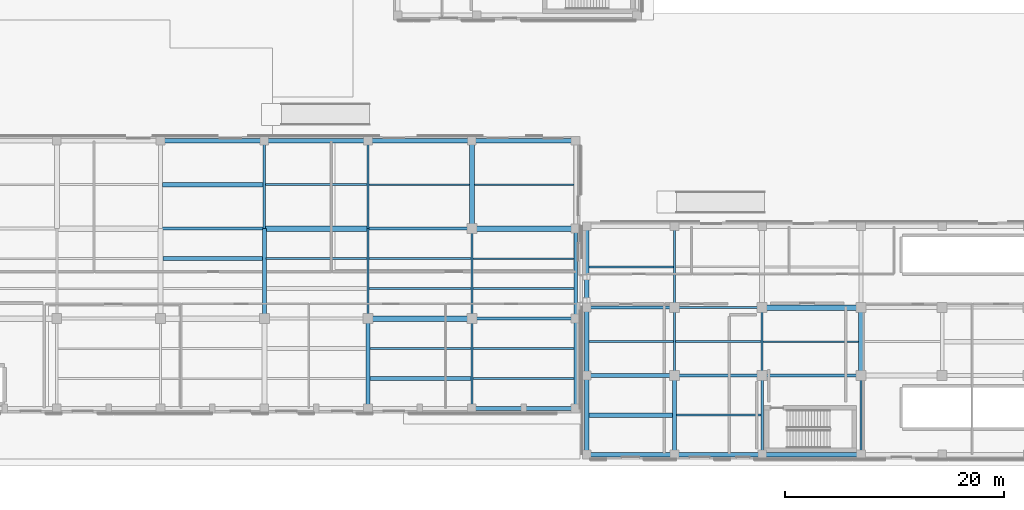
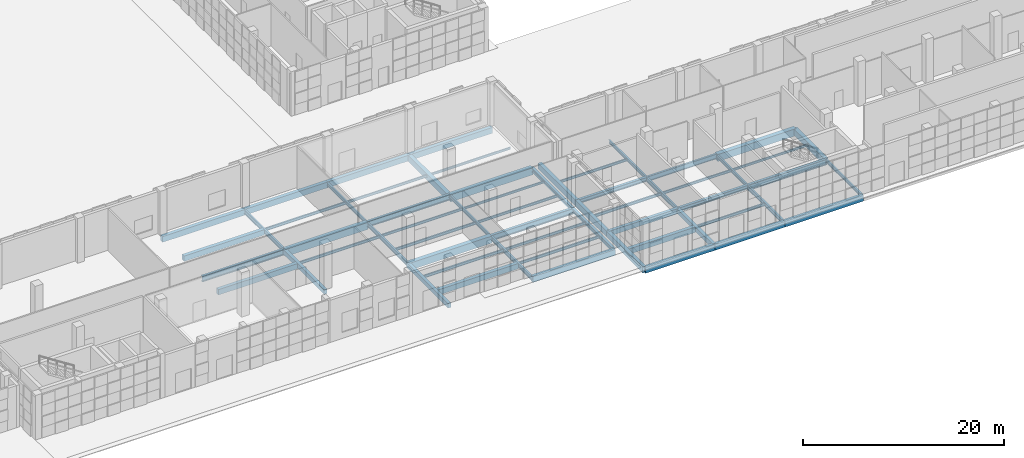
# One storey, part 3 of 40: 60 beams.
"""IFC4 building model written with IfcOpenShell, lengths in metres."""

from ifc_helpers import new_model, si_unit, direction, frame, origin, origin_2d, place, context, subcontext, project, spatial, rectangle, i_section, extrude, material, material_profile, profile_set, type_object, element, save


model = new_model("IFC4")

# Units and contexts
model_context = context("Model", 3, precision=1e-05, world=origin(), true_north=direction((0.0, 1.0)))
body_context = subcontext(model_context, "Body", "Model", "MODEL_VIEW")
ifc_project = project(units=[si_unit("LENGTHUNIT", "METRE"), si_unit("AREAUNIT", "SQUARE_METRE"), si_unit("VOLUMEUNIT", "CUBIC_METRE"), si_unit("PLANEANGLEUNIT", "RADIAN"), si_unit("MASSUNIT", "GRAM", prefix="KILO")], contexts=[model_context])

# Site, building, storey
site_placement = place(None, origin())
site = spatial("IfcSite", under=ifc_project, at=site_placement, CompositionType="ELEMENT")
building_placement = place(site_placement, origin())
building = spatial("IfcBuilding", under=site, at=building_placement, Name="Qalavern Law Courts", CompositionType="ELEMENT")
storey_placement = place(building_placement, origin())
storey = spatial("IfcBuildingStorey", under=building, at=storey_placement, Name="L00", CompositionType="ELEMENT", Elevation=0.0)

# Beams
ifc_material_1 = material(Name="Steel S355", Category="steel")
ifc_material_profile_1 = material_profile(ifc_material_1, i_section(OverallWidth=0.300048828125, OverallDepth=0.489990234375, WebThickness=0.011962890625, FlangeThickness=0.02294921875, FilletRadius=0.027099609375, at=origin_2d()), Name="HEA 500")
ifc_profile_set_1 = profile_set([ifc_material_profile_1], Name="Steel S355")
beam_type_1 = type_object("IfcBeamType", Name="STR-BM-HEA500", PredefinedType="BEAM", material=ifc_profile_set_1)
beam_1_placement = place(storey_placement, frame((109.800048828125, 8.60009765625, -0.5849609375), z_axis=(1.0, 0.0, 0.0), x_axis=(0.0, 1.0, 0.0)))
element("IfcBeam", 1, at=beam_1_placement, inside=storey, type_object=beam_type_1, Name="V6 X-beam 2-2 L00", PredefinedType="BEAM", context=body_context, shape_type="SweptSolid", body=[
    extrude(i_section(OverallWidth=0.300048828125, OverallDepth=0.489990234375, WebThickness=0.011962890625, FlangeThickness=0.02294921875, FilletRadius=0.027099609375, at=origin_2d()), origin(), (0.0, 0.0, 1.0), 8.0),
])
beam_2_placement = place(storey_placement, frame((101.820068359375, 14.800048828125, -0.5849609375), z_axis=(1.0, 0.0, 0.0), x_axis=(0.0, 1.0, 0.0)))
element("IfcBeam", 2, at=beam_2_placement, inside=storey, type_object=beam_type_1, Name="V6 X-beam 3-1 L00", PredefinedType="BEAM", context=body_context, shape_type="SweptSolid", body=[
    extrude(i_section(OverallWidth=0.300048828125, OverallDepth=0.489990234375, WebThickness=0.011962890625, FlangeThickness=0.02294921875, FilletRadius=0.027099609375, at=origin_2d()), origin(), (0.0, 0.0, 1.0), 7.97998046875),
])
ifc_material_profile_2 = material_profile(ifc_material_1, i_section(OverallWidth=0.300048828125, OverallDepth=0.699951171875, WebThickness=0.01708984375, FlangeThickness=0.031982421875, FilletRadius=0.027099609375, at=origin_2d()), Name="HEB 700")
ifc_profile_set_2 = profile_set([ifc_material_profile_2], Name="Steel S355")
beam_type_2 = type_object("IfcBeamType", Name="STR-BM-HEB700", PredefinedType="BEAM", material=ifc_profile_set_2)
beam_3_placement = place(storey_placement, frame((91.345703125, 13.800048828125, -0.68994140625), z_axis=(1.0, 0.0, 0.0), x_axis=(0.0, 1.0, 0.0)))
element("IfcBeam", 3, at=beam_3_placement, inside=storey, type_object=beam_type_2, Name="V2 X-beam 2-7 L00", PredefinedType="BEAM", context=body_context, shape_type="SweptSolid", body=[
    extrude(i_section(OverallWidth=0.300048828125, OverallDepth=0.699951171875, WebThickness=0.01708984375, FlangeThickness=0.031982421875, FilletRadius=0.027099609375, at=origin_2d()), origin(), (0.0, 0.0, 1.0), 9.454345703125),
])
beam_4_placement = place(storey_placement, frame((62.98291015625, 22.0, -0.68994140625), z_axis=(1.0, 0.0, 0.0), x_axis=(0.0, 1.0, 0.0)))
element("IfcBeam", 4, at=beam_4_placement, inside=storey, type_object=beam_type_2, Name="V2 X-beam 3-4 L00", PredefinedType="BEAM", context=body_context, shape_type="SweptSolid", body=[
    extrude(i_section(OverallWidth=0.300048828125, OverallDepth=0.699951171875, WebThickness=0.01708984375, FlangeThickness=0.031982421875, FilletRadius=0.027099609375, at=origin_2d()), origin(), (0.0, 0.0, 1.0), 9.4541015625),
])
beam_5_placement = place(storey_placement, frame((81.891357421875, 22.0, -0.68994140625), z_axis=(1.0, 0.0, 0.0), x_axis=(0.0, 1.0, 0.0)))
element("IfcBeam", 5, at=beam_5_placement, inside=storey, type_object=beam_type_2, Name="V2 X-beam 3-6 L00", PredefinedType="BEAM", context=body_context, shape_type="SweptSolid", body=[
    extrude(i_section(OverallWidth=0.300048828125, OverallDepth=0.699951171875, WebThickness=0.01708984375, FlangeThickness=0.031982421875, FilletRadius=0.027099609375, at=origin_2d()), origin(), (0.0, 0.0, 1.0), 9.454345703125),
])
beam_6_placement = place(storey_placement, frame((117.800048828125, 8.60009765625, -0.68994140625), z_axis=(1.0, 0.0, 0.0), x_axis=(0.0, 1.0, 0.0)))
element("IfcBeam", 6, at=beam_6_placement, inside=storey, type_object=beam_type_2, Name="V6 X-beam 2-3 L00", PredefinedType="BEAM", context=body_context, shape_type="SweptSolid", body=[
    extrude(i_section(OverallWidth=0.300048828125, OverallDepth=0.699951171875, WebThickness=0.01708984375, FlangeThickness=0.031982421875, FilletRadius=0.027099609375, at=origin_2d()), origin(), (0.0, 0.0, 1.0), 9.0),
])
ifc_material_profile_3 = material_profile(ifc_material_1, i_section(OverallWidth=0.179931640625, OverallDepth=0.39990234375, WebThickness=0.008544921875, FlangeThickness=0.013427734375, FilletRadius=0.02099609375, at=origin_2d()), Name="IPE 400")
ifc_profile_set_3 = profile_set([ifc_material_profile_3], Name="Steel S355")
beam_type_3 = type_object("IfcBeamType", Name="STR-BM-IPE400", PredefinedType="BEAM", material=ifc_profile_set_3)
beam_7_placement = place(storey_placement, frame((81.891357421875, 22.0, -0.5400390625), z_axis=(0.0, 1.0, 0.0), x_axis=(-1.0, 0.0, 0.0)))
element("IfcBeam", 7, at=beam_7_placement, inside=storey, type_object=beam_type_3, Name="V2 Y-beam 6-3 L00", PredefinedType="BEAM", context=body_context, shape_type="SweptSolid", body=[
    extrude(i_section(OverallWidth=0.179931640625, OverallDepth=0.39990234375, WebThickness=0.008544921875, FlangeThickness=0.013427734375, FilletRadius=0.02099609375, at=origin_2d()), origin(), (0.0, 0.0, 1.0), 8.0),
])
beam_8_placement = place(storey_placement, frame((91.345703125, 13.800048828125, -0.5400390625), z_axis=(0.0, 1.0, 0.0), x_axis=(-1.0, 0.0, 0.0)))
element("IfcBeam", 8, at=beam_8_placement, inside=storey, type_object=beam_type_3, Name="V2 Y-beam 7-2 L00", PredefinedType="BEAM", context=body_context, shape_type="SweptSolid", body=[
    extrude(i_section(OverallWidth=0.179931640625, OverallDepth=0.39990234375, WebThickness=0.008544921875, FlangeThickness=0.013427734375, FilletRadius=0.02099609375, at=origin_2d()), origin(), (0.0, 0.0, 1.0), 8.199951171875),
])
beam_9_placement = place(storey_placement, frame((109.800048828125, 14.800048828125, -0.5400390625), z_axis=(0.0, 1.0, 0.0), x_axis=(-1.0, 0.0, 0.0)))
element("IfcBeam", 9, at=beam_9_placement, inside=storey, type_object=beam_type_3, Name="V6 Y-beam 2-3 L00", PredefinedType="BEAM", context=body_context, shape_type="SweptSolid", body=[
    extrude(i_section(OverallWidth=0.179931640625, OverallDepth=0.39990234375, WebThickness=0.008544921875, FlangeThickness=0.013427734375, FilletRadius=0.02099609375, at=origin_2d()), origin(), (0.0, 0.0, 1.0), 7.39990234375),
])
beam_10_placement = place(storey_placement, frame((117.800048828125, 8.60009765625, -0.5400390625), z_axis=(0.0, 1.0, 0.0), x_axis=(-1.0, 0.0, 0.0)))
element("IfcBeam", 10, at=beam_10_placement, inside=storey, type_object=beam_type_3, Name="V6 Y-beam 3-2 L00", PredefinedType="BEAM", context=body_context, shape_type="SweptSolid", body=[
    extrude(i_section(OverallWidth=0.179931640625, OverallDepth=0.39990234375, WebThickness=0.008544921875, FlangeThickness=0.013427734375, FilletRadius=0.02099609375, at=origin_2d()), origin(), (0.0, 0.0, 1.0), 6.199951171875),
])
beam_11_placement = place(storey_placement, frame((126.800048828125, 1.39990234375, -0.5400390625), z_axis=(0.0, 1.0, 0.0), x_axis=(-1.0, 0.0, 0.0)))
element("IfcBeam", 11, at=beam_11_placement, inside=storey, type_object=beam_type_3, Name="V6 Y-beam 4-1 L00", PredefinedType="BEAM", context=body_context, shape_type="SweptSolid", body=[
    extrude(i_section(OverallWidth=0.179931640625, OverallDepth=0.39990234375, WebThickness=0.008544921875, FlangeThickness=0.013427734375, FilletRadius=0.02099609375, at=origin_2d()), origin(), (0.0, 0.0, 1.0), 7.2001953125),
])
ifc_material_profile_4 = material_profile(ifc_material_1, i_section(OverallWidth=0.199951171875, OverallDepth=0.5, WebThickness=0.01025390625, FlangeThickness=0.01611328125, FilletRadius=0.02099609375, at=origin_2d()), Name="IPE 500")
ifc_profile_set_4 = profile_set([ifc_material_profile_4], Name="Steel S355")
beam_type_4 = type_object("IfcBeamType", Name="STR-BM-IPE500", PredefinedType="BEAM", material=ifc_profile_set_4)
beam_12_placement = place(storey_placement, frame((72.43701171875, 22.0, -0.590087890625), z_axis=(0.0, 1.0, 0.0), x_axis=(-1.0, 0.0, 0.0)))
element("IfcBeam", 12, at=beam_12_placement, inside=storey, type_object=beam_type_4, Name="V2 Y-beam 5-3 L00", PredefinedType="BEAM", context=body_context, shape_type="SweptSolid", body=[
    extrude(i_section(OverallWidth=0.199951171875, OverallDepth=0.5, WebThickness=0.01025390625, FlangeThickness=0.01611328125, FilletRadius=0.02099609375, at=origin_2d()), origin(), (0.0, 0.0, 1.0), 8.0),
])
for number, where, z_axis, x_axis, name in (
    (13, (81.891357421875, 13.800048828125, -0.590087890625), (0.0, 1.0, 0.0), (-1.0, 0.0, 0.0), "V2 Y-beam 6-2 L00"),
    (14, (91.345703125, 5.60009765625, -0.590087890625), (0.0, 1.0, 0.0), (-1.0, 0.0, 0.0), "V2 Y-beam 7-1 L00"),
):
    element("IfcBeam", number, at=place(storey_placement, frame(where, z_axis=z_axis, x_axis=x_axis)), inside=storey, type_object=beam_type_4, Name=name, PredefinedType="BEAM", context=body_context, shape_type="SweptSolid", body=[
        extrude(i_section(OverallWidth=0.199951171875, OverallDepth=0.5, WebThickness=0.01025390625, FlangeThickness=0.01611328125, FilletRadius=0.02099609375, at=origin_2d()), origin(), (0.0, 0.0, 1.0), 8.199951171875),
    ])
beam_13_placement = place(storey_placement, frame((109.800048828125, 8.60009765625, -0.590087890625), z_axis=(0.0, 1.0, 0.0), x_axis=(-1.0, 0.0, 0.0)))
element("IfcBeam", 15, at=beam_13_placement, inside=storey, type_object=beam_type_4, Name="V6 Y-beam 2-2 L00", PredefinedType="BEAM", context=body_context, shape_type="SweptSolid", body=[
    extrude(i_section(OverallWidth=0.199951171875, OverallDepth=0.5, WebThickness=0.01025390625, FlangeThickness=0.01611328125, FilletRadius=0.02099609375, at=origin_2d()), origin(), (0.0, 0.0, 1.0), 6.199951171875),
])
beam_14_placement = place(storey_placement, frame((117.800048828125, 1.39990234375, -0.590087890625), z_axis=(0.0, 1.0, 0.0), x_axis=(-1.0, 0.0, 0.0)))
element("IfcBeam", 16, at=beam_14_placement, inside=storey, type_object=beam_type_4, Name="V6 Y-beam 3-1 L00", PredefinedType="BEAM", context=body_context, shape_type="SweptSolid", body=[
    extrude(i_section(OverallWidth=0.199951171875, OverallDepth=0.5, WebThickness=0.01025390625, FlangeThickness=0.01611328125, FilletRadius=0.02099609375, at=origin_2d()), origin(), (0.0, 0.0, 1.0), 7.2001953125),
])
ifc_material_profile_5 = material_profile(ifc_material_1, i_section(OverallWidth=0.219970703125, OverallDepth=0.60009765625, WebThickness=0.011962890625, FlangeThickness=0.01904296875, FilletRadius=0.02392578125, at=origin_2d()), Name="IPE 600")
ifc_profile_set_5 = profile_set([ifc_material_profile_5], Name="Steel S355")
beam_type_5 = type_object("IfcBeamType", Name="STR-BM-IPE600", PredefinedType="BEAM", material=ifc_profile_set_5)
beam_15_placement = place(storey_placement, frame((109.800048828125, 14.800048828125, -0.639892578125), z_axis=(1.0, 0.0, 0.0), x_axis=(0.0, 1.0, 0.0)))
element("IfcBeam", 17, at=beam_15_placement, inside=storey, type_object=beam_type_5, Name="V6 X-beam 3-2 L00", PredefinedType="BEAM", context=body_context, shape_type="SweptSolid", body=[
    extrude(i_section(OverallWidth=0.219970703125, OverallDepth=0.60009765625, WebThickness=0.011962890625, FlangeThickness=0.01904296875, FilletRadius=0.02392578125, at=origin_2d()), origin(), (0.0, 0.0, 1.0), 8.0),
])
ifc_material_2 = material(Name="Concrete C35/45", Category="concrete")
ifc_material_profile_6 = material_profile(ifc_material_2, rectangle(XDim=0.35009765625, YDim=0.550048828125, at=origin_2d()), Name="RC 350x550")
ifc_profile_set_6 = profile_set([ifc_material_profile_6], Name="Concrete C35/45")
beam_type_6 = type_object("IfcBeamType", Name="STR-BM-RC350x550", PredefinedType="BEAM", material=ifc_profile_set_6)
for number, where, z_axis, x_axis, name in (
    (18, (72.43701171875, 13.800048828125, -0.614990234375), (0.0, 1.0, 0.0), (-1.0, 0.0, 0.0), "V2 Y-beam 5-2 L00"),
    (19, (81.891357421875, 5.60009765625, -0.614990234375), (0.0, 1.0, 0.0), (-1.0, 0.0, 0.0), "V2 Y-beam 6-1 L00"),
):
    element("IfcBeam", number, at=place(storey_placement, frame(where, z_axis=z_axis, x_axis=x_axis)), inside=storey, type_object=beam_type_6, Name=name, PredefinedType="BEAM", context=body_context, shape_type="SweptSolid", body=[
        extrude(rectangle(XDim=0.35009765625, YDim=0.550048828125, at=origin_2d()), origin(), (0.0, 0.0, 1.0), 8.199951171875),
    ])
beam_16_placement = place(storey_placement, frame((109.800048828125, 1.39990234375, -0.614990234375), z_axis=(0.0, 1.0, 0.0), x_axis=(-1.0, 0.0, 0.0)))
element("IfcBeam", 20, at=beam_16_placement, inside=storey, type_object=beam_type_6, Name="V6 Y-beam 2-1 L00", PredefinedType="BEAM", context=body_context, shape_type="SweptSolid", body=[
    extrude(rectangle(XDim=0.35009765625, YDim=0.550048828125, at=origin_2d()), origin(), (0.0, 0.0, 1.0), 7.2001953125),
])
ifc_material_profile_7 = material_profile(ifc_material_2, rectangle(XDim=0.35009765625, YDim=0.60009765625, at=origin_2d()), Name="RC 350x600")
ifc_profile_set_7 = profile_set([ifc_material_profile_7], Name="Concrete C35/45")
beam_type_7 = type_object("IfcBeamType", Name="STR-BM-RC350x600", PredefinedType="BEAM", material=ifc_profile_set_7)
beam_17_placement = place(storey_placement, frame((101.820068359375, 8.60009765625, -0.639892578125), z_axis=(1.0, 0.0, 0.0), x_axis=(0.0, 1.0, 0.0)))
element("IfcBeam", 21, at=beam_17_placement, inside=storey, type_object=beam_type_7, Name="V6 X-beam 2-1 L00", PredefinedType="BEAM", context=body_context, shape_type="SweptSolid", body=[
    extrude(rectangle(XDim=0.35009765625, YDim=0.60009765625, at=origin_2d()), origin(), (0.0, 0.0, 1.0), 7.97998046875),
])
ifc_material_3 = material(Name="Concrete C40/50", Category="concrete")
ifc_material_profile_8 = material_profile(ifc_material_3, rectangle(XDim=0.449951171875, YDim=0.75, at=origin_2d()), Name="RC 450x750")
ifc_profile_set_8 = profile_set([ifc_material_profile_8], Name="Concrete C40/50")
beam_type_8 = type_object("IfcBeamType", Name="STR-BM-RC450x750", PredefinedType="BEAM", material=ifc_profile_set_8)
beam_18_placement = place(storey_placement, frame((91.345703125, 22.0, -0.715087890625), z_axis=(0.0, 1.0, 0.0), x_axis=(-1.0, 0.0, 0.0)))
element("IfcBeam", 22, at=beam_18_placement, inside=storey, type_object=beam_type_8, Name="V2 Y-beam 7-3 L00", PredefinedType="BEAM", context=body_context, shape_type="SweptSolid", body=[
    extrude(rectangle(XDim=0.449951171875, YDim=0.75, at=origin_2d()), origin(), (0.0, 0.0, 1.0), 8.0),
])
beam_19_placement = place(storey_placement, frame((126.800048828125, 8.60009765625, -0.715087890625), z_axis=(0.0, 1.0, 0.0), x_axis=(-1.0, 0.0, 0.0)))
element("IfcBeam", 23, at=beam_19_placement, inside=storey, type_object=beam_type_8, Name="V6 Y-beam 4-2 L00", PredefinedType="BEAM", context=body_context, shape_type="SweptSolid", body=[
    extrude(rectangle(XDim=0.449951171875, YDim=0.75, at=origin_2d()), origin(), (0.0, 0.0, 1.0), 6.199951171875),
])
ifc_material_profile_9 = material_profile(ifc_material_3, rectangle(XDim=0.5, YDim=0.85009765625, at=origin_2d()), Name="RC 500x850")
ifc_profile_set_9 = profile_set([ifc_material_profile_9], Name="Concrete C40/50")
beam_type_9 = type_object("IfcBeamType", Name="STR-BM-RC500x850", PredefinedType="BEAM", material=ifc_profile_set_9)
for number, where, z_axis, x_axis, name in (
    (24, (81.891357421875, 13.800048828125, -0.764892578125), (1.0, 0.0, 0.0), (0.0, 1.0, 0.0), "V2 X-beam 2-6 L00"),
    (25, (72.43701171875, 22.0, -0.764892578125), (1.0, 0.0, 0.0), (0.0, 1.0, 0.0), "V2 X-beam 3-5 L00"),
    (26, (91.345703125, 22.0, -0.764892578125), (1.0, 0.0, 0.0), (0.0, 1.0, 0.0), "V2 X-beam 3-7 L00"),
):
    element("IfcBeam", number, at=place(storey_placement, frame(where, z_axis=z_axis, x_axis=x_axis)), inside=storey, type_object=beam_type_9, Name=name, PredefinedType="BEAM", context=body_context, shape_type="SweptSolid", body=[
        extrude(rectangle(XDim=0.5, YDim=0.85009765625, at=origin_2d()), origin(), (0.0, 0.0, 1.0), 9.454345703125),
    ])
beam_20_placement = place(storey_placement, frame((117.800048828125, 14.800048828125, -0.764892578125), z_axis=(1.0, 0.0, 0.0), x_axis=(0.0, 1.0, 0.0)))
element("IfcBeam", 27, at=beam_20_placement, inside=storey, type_object=beam_type_9, Name="V6 X-beam 3-3 L00", PredefinedType="BEAM", context=body_context, shape_type="SweptSolid", body=[
    extrude(rectangle(XDim=0.5, YDim=0.85009765625, at=origin_2d()), origin(), (0.0, 0.0, 1.0), 9.0),
])
ifc_material_profile_10 = material_profile(ifc_material_1, i_section(OverallWidth=0.135009765625, OverallDepth=0.27001953125, WebThickness=0.006591796875, FlangeThickness=0.01025390625, FilletRadius=0.014892578125, at=origin_2d()), Name="IPE 270")
ifc_profile_set_10 = profile_set([ifc_material_profile_10], Name="Steel S355")
beam_type_10 = type_object("IfcBeamType", Name="STR-JST-IPE270", PredefinedType="JOIST", material=ifc_profile_set_10)
beam_21_placement = place(storey_placement, frame((91.43359375, 19.2666015625, -0.47509765625), z_axis=(1.0, 0.0, 0.0), x_axis=(0.0, 1.0, 0.0)))
element("IfcBeam", 28, at=beam_21_placement, inside=storey, type_object=beam_type_10, Name="V2 secondary joist 7.2.2 L00", PredefinedType="JOIST", context=body_context, shape_type="SweptSolid", body=[
    extrude(i_section(OverallWidth=0.135009765625, OverallDepth=0.27001953125, WebThickness=0.006591796875, FlangeThickness=0.01025390625, FilletRadius=0.014892578125, at=origin_2d()), origin(), (0.0, 0.0, 1.0), 9.218505859375),
])
beam_22_placement = place(storey_placement, frame((91.568603515625, 26.0, -0.47509765625), z_axis=(1.0, 0.0, 0.0), x_axis=(0.0, 1.0, 0.0)))
element("IfcBeam", 29, at=beam_22_placement, inside=storey, type_object=beam_type_10, Name="V2 secondary joist 7.3.1 L00", PredefinedType="JOIST", context=body_context, shape_type="SweptSolid", body=[
    extrude(i_section(OverallWidth=0.135009765625, OverallDepth=0.27001953125, WebThickness=0.006591796875, FlangeThickness=0.01025390625, FilletRadius=0.014892578125, at=origin_2d()), origin(), (0.0, 0.0, 1.0), 9.08349609375),
])
beam_23_placement = place(storey_placement, frame((117.887939453125, 11.699951171875, -0.47509765625), z_axis=(1.0, 0.0, 0.0), x_axis=(0.0, 1.0, 0.0)))
element("IfcBeam", 30, at=beam_23_placement, inside=storey, type_object=beam_type_10, Name="V6 secondary joist 3.2.1 L00", PredefinedType="JOIST", context=body_context, shape_type="SweptSolid", body=[
    extrude(i_section(OverallWidth=0.135009765625, OverallDepth=0.27001953125, WebThickness=0.006591796875, FlangeThickness=0.01025390625, FilletRadius=0.014892578125, at=origin_2d()), origin(), (0.0, 0.0, 1.0), 8.68896484375),
])
ifc_material_profile_11 = material_profile(ifc_material_1, i_section(OverallWidth=0.14990234375, OverallDepth=0.300048828125, WebThickness=0.007080078125, FlangeThickness=0.0107421875, FilletRadius=0.014892578125, at=origin_2d()), Name="IPE 300")
ifc_profile_set_11 = profile_set([ifc_material_profile_11], Name="Steel S355")
beam_type_11 = type_object("IfcBeamType", Name="STR-JST-IPE300", PredefinedType="JOIST", material=ifc_profile_set_11)
beam_24_placement = place(storey_placement, frame((81.989501953125, 19.2666015625, -0.489990234375), z_axis=(1.0, 0.0, 0.0), x_axis=(0.0, 1.0, 0.0)))
element("IfcBeam", 31, at=beam_24_placement, inside=storey, type_object=beam_type_11, Name="V2 secondary joist 6.2.2 L00", PredefinedType="JOIST", context=body_context, shape_type="SweptSolid", body=[
    extrude(i_section(OverallWidth=0.14990234375, OverallDepth=0.300048828125, WebThickness=0.007080078125, FlangeThickness=0.0107421875, FilletRadius=0.014892578125, at=origin_2d()), origin(), (0.0, 0.0, 1.0), 9.268310546875),
])
beam_25_placement = place(storey_placement, frame((81.9794921875, 26.0, -0.489990234375), z_axis=(1.0, 0.0, 0.0), x_axis=(0.0, 1.0, 0.0)))
element("IfcBeam", 32, at=beam_25_placement, inside=storey, type_object=beam_type_11, Name="V2 secondary joist 6.3.1 L00", PredefinedType="JOIST", context=body_context, shape_type="SweptSolid", body=[
    extrude(i_section(OverallWidth=0.14990234375, OverallDepth=0.300048828125, WebThickness=0.007080078125, FlangeThickness=0.0107421875, FilletRadius=0.014892578125, at=origin_2d()), origin(), (0.0, 0.0, 1.0), 9.143310546875),
])
beam_26_placement = place(storey_placement, frame((91.443603515625, 11.066650390625, -0.489990234375), z_axis=(1.0, 0.0, 0.0), x_axis=(0.0, 1.0, 0.0)))
element("IfcBeam", 33, at=beam_26_placement, inside=storey, type_object=beam_type_11, Name="V2 secondary joist 7.1.2 L00", PredefinedType="JOIST", context=body_context, shape_type="SweptSolid", body=[
    extrude(i_section(OverallWidth=0.14990234375, OverallDepth=0.300048828125, WebThickness=0.007080078125, FlangeThickness=0.0107421875, FilletRadius=0.014892578125, at=origin_2d()), origin(), (0.0, 0.0, 1.0), 9.20849609375),
])
beam_27_placement = place(storey_placement, frame((91.43359375, 16.533203125, -0.489990234375), z_axis=(1.0, 0.0, 0.0), x_axis=(0.0, 1.0, 0.0)))
element("IfcBeam", 34, at=beam_27_placement, inside=storey, type_object=beam_type_11, Name="V2 secondary joist 7.2.1 L00", PredefinedType="JOIST", context=body_context, shape_type="SweptSolid", body=[
    extrude(i_section(OverallWidth=0.14990234375, OverallDepth=0.300048828125, WebThickness=0.007080078125, FlangeThickness=0.0107421875, FilletRadius=0.014892578125, at=origin_2d()), origin(), (0.0, 0.0, 1.0), 9.218505859375),
])
beam_28_placement = place(storey_placement, frame((102.01806640625, 18.5, -0.489990234375), z_axis=(1.0, 0.0, 0.0), x_axis=(0.0, 1.0, 0.0)))
element("IfcBeam", 35, at=beam_28_placement, inside=storey, type_object=beam_type_11, Name="V6 secondary joist 1.3.1 L00", PredefinedType="JOIST", context=body_context, shape_type="SweptSolid", body=[
    extrude(i_section(OverallWidth=0.14990234375, OverallDepth=0.300048828125, WebThickness=0.007080078125, FlangeThickness=0.0107421875, FilletRadius=0.014892578125, at=origin_2d()), origin(), (0.0, 0.0, 1.0), 7.69384765625),
])
beam_29_placement = place(storey_placement, frame((109.89794921875, 11.699951171875, -0.489990234375), z_axis=(1.0, 0.0, 0.0), x_axis=(0.0, 1.0, 0.0)))
element("IfcBeam", 36, at=beam_29_placement, inside=storey, type_object=beam_type_11, Name="V6 secondary joist 2.2.1 L00", PredefinedType="JOIST", context=body_context, shape_type="SweptSolid", body=[
    extrude(i_section(OverallWidth=0.14990234375, OverallDepth=0.300048828125, WebThickness=0.007080078125, FlangeThickness=0.0107421875, FilletRadius=0.014892578125, at=origin_2d()), origin(), (0.0, 0.0, 1.0), 7.81396484375),
])
ifc_material_profile_12 = material_profile(ifc_material_1, i_section(OverallWidth=0.159912109375, OverallDepth=0.330078125, WebThickness=0.007568359375, FlangeThickness=0.011474609375, FilletRadius=0.01806640625, at=origin_2d()), Name="IPE 330")
ifc_profile_set_12 = profile_set([ifc_material_profile_12], Name="Steel S355")
beam_type_12 = type_object("IfcBeamType", Name="STR-JST-IPE330", PredefinedType="JOIST", material=ifc_profile_set_12)
beam_30_placement = place(storey_placement, frame((72.610107421875, 19.2666015625, -0.5048828125), z_axis=(1.0, 0.0, 0.0), x_axis=(0.0, 1.0, 0.0)))
element("IfcBeam", 37, at=beam_30_placement, inside=storey, type_object=beam_type_12, Name="V2 secondary joist 5.2.2 L00", PredefinedType="JOIST", context=body_context, shape_type="SweptSolid", body=[
    extrude(i_section(OverallWidth=0.159912109375, OverallDepth=0.330078125, WebThickness=0.007568359375, FlangeThickness=0.011474609375, FilletRadius=0.01806640625, at=origin_2d()), origin(), (0.0, 0.0, 1.0), 9.183349609375),
])
beam_31_placement = place(storey_placement, frame((72.53515625, 26.0, -0.5048828125), z_axis=(1.0, 0.0, 0.0), x_axis=(0.0, 1.0, 0.0)))
element("IfcBeam", 38, at=beam_31_placement, inside=storey, type_object=beam_type_12, Name="V2 secondary joist 5.3.1 L00", PredefinedType="JOIST", context=body_context, shape_type="SweptSolid", body=[
    extrude(i_section(OverallWidth=0.159912109375, OverallDepth=0.330078125, WebThickness=0.007568359375, FlangeThickness=0.011474609375, FilletRadius=0.01806640625, at=origin_2d()), origin(), (0.0, 0.0, 1.0), 9.268310546875),
])
beam_32_placement = place(storey_placement, frame((82.064453125, 11.066650390625, -0.5048828125), z_axis=(1.0, 0.0, 0.0), x_axis=(0.0, 1.0, 0.0)))
element("IfcBeam", 39, at=beam_32_placement, inside=storey, type_object=beam_type_12, Name="V2 secondary joist 6.1.2 L00", PredefinedType="JOIST", context=body_context, shape_type="SweptSolid", body=[
    extrude(i_section(OverallWidth=0.159912109375, OverallDepth=0.330078125, WebThickness=0.007568359375, FlangeThickness=0.011474609375, FilletRadius=0.01806640625, at=origin_2d()), origin(), (0.0, 0.0, 1.0), 9.183349609375),
])
beam_33_placement = place(storey_placement, frame((81.989501953125, 16.533203125, -0.5048828125), z_axis=(1.0, 0.0, 0.0), x_axis=(0.0, 1.0, 0.0)))
element("IfcBeam", 40, at=beam_33_placement, inside=storey, type_object=beam_type_12, Name="V2 secondary joist 6.2.1 L00", PredefinedType="JOIST", context=body_context, shape_type="SweptSolid", body=[
    extrude(i_section(OverallWidth=0.159912109375, OverallDepth=0.330078125, WebThickness=0.007568359375, FlangeThickness=0.011474609375, FilletRadius=0.01806640625, at=origin_2d()), origin(), (0.0, 0.0, 1.0), 9.268310546875),
])
beam_34_placement = place(storey_placement, frame((91.443603515625, 8.333251953125, -0.5048828125), z_axis=(1.0, 0.0, 0.0), x_axis=(0.0, 1.0, 0.0)))
element("IfcBeam", 41, at=beam_34_placement, inside=storey, type_object=beam_type_12, Name="V2 secondary joist 7.1.1 L00", PredefinedType="JOIST", context=body_context, shape_type="SweptSolid", body=[
    extrude(i_section(OverallWidth=0.159912109375, OverallDepth=0.330078125, WebThickness=0.007568359375, FlangeThickness=0.011474609375, FilletRadius=0.01806640625, at=origin_2d()), origin(), (0.0, 0.0, 1.0), 9.20849609375),
])
beam_35_placement = place(storey_placement, frame((102.01806640625, 11.699951171875, -0.5048828125), z_axis=(1.0, 0.0, 0.0), x_axis=(0.0, 1.0, 0.0)))
element("IfcBeam", 42, at=beam_35_placement, inside=storey, type_object=beam_type_12, Name="V6 secondary joist 1.2.1 L00", PredefinedType="JOIST", context=body_context, shape_type="SweptSolid", body=[
    extrude(i_section(OverallWidth=0.159912109375, OverallDepth=0.330078125, WebThickness=0.007568359375, FlangeThickness=0.011474609375, FilletRadius=0.01806640625, at=origin_2d()), origin(), (0.0, 0.0, 1.0), 7.683837890625),
])
beam_36_placement = place(storey_placement, frame((109.972900390625, 5.0, -0.5048828125), z_axis=(1.0, 0.0, 0.0), x_axis=(0.0, 1.0, 0.0)))
element("IfcBeam", 43, at=beam_36_placement, inside=storey, type_object=beam_type_12, Name="V6 secondary joist 2.1.1 L00", PredefinedType="JOIST", context=body_context, shape_type="SweptSolid", body=[
    extrude(i_section(OverallWidth=0.159912109375, OverallDepth=0.330078125, WebThickness=0.007568359375, FlangeThickness=0.011474609375, FilletRadius=0.01806640625, at=origin_2d()), origin(), (0.0, 0.0, 1.0), 7.72900390625),
])
ifc_material_profile_13 = material_profile(ifc_material_2, rectangle(XDim=0.39990234375, YDim=0.64990234375, at=origin_2d()), Name="RC 400x650")
ifc_profile_set_13 = profile_set([ifc_material_profile_13], Name="Concrete C35/45")
beam_type_13 = type_object("IfcBeamType", Name="STR-JST-RC400x650", PredefinedType="JOIST", material=ifc_profile_set_13)
beam_37_placement = place(storey_placement, frame((63.205810546875, 19.2666015625, -0.6650390625), z_axis=(1.0, 0.0, 0.0), x_axis=(0.0, 1.0, 0.0)))
element("IfcBeam", 44, at=beam_37_placement, inside=storey, type_object=beam_type_13, Name="V2 secondary joist 4.2.2 L00", PredefinedType="JOIST", context=body_context, shape_type="SweptSolid", body=[
    extrude(rectangle(XDim=0.39990234375, YDim=0.64990234375, at=origin_2d()), origin(), (0.0, 0.0, 1.0), 9.058349609375),
])
beam_38_placement = place(storey_placement, frame((63.156005859375, 26.0, -0.6650390625), z_axis=(1.0, 0.0, 0.0), x_axis=(0.0, 1.0, 0.0)))
element("IfcBeam", 45, at=beam_38_placement, inside=storey, type_object=beam_type_13, Name="V2 secondary joist 4.3.1 L00", PredefinedType="JOIST", context=body_context, shape_type="SweptSolid", body=[
    extrude(rectangle(XDim=0.39990234375, YDim=0.64990234375, at=origin_2d()), origin(), (0.0, 0.0, 1.0), 9.18310546875),
])
beam_39_placement = place(storey_placement, frame((82.064453125, 8.333251953125, -0.6650390625), z_axis=(1.0, 0.0, 0.0), x_axis=(0.0, 1.0, 0.0)))
element("IfcBeam", 46, at=beam_39_placement, inside=storey, type_object=beam_type_13, Name="V2 secondary joist 6.1.1 L00", PredefinedType="JOIST", context=body_context, shape_type="SweptSolid", body=[
    extrude(rectangle(XDim=0.39990234375, YDim=0.64990234375, at=origin_2d()), origin(), (0.0, 0.0, 1.0), 9.183349609375),
])
beam_40_placement = place(storey_placement, frame((102.01806640625, 5.0, -0.6650390625), z_axis=(1.0, 0.0, 0.0), x_axis=(0.0, 1.0, 0.0)))
element("IfcBeam", 47, at=beam_40_placement, inside=storey, type_object=beam_type_13, Name="V6 secondary joist 1.1.1 L00", PredefinedType="JOIST", context=body_context, shape_type="SweptSolid", body=[
    extrude(rectangle(XDim=0.39990234375, YDim=0.64990234375, at=origin_2d()), origin(), (0.0, 0.0, 1.0), 7.60888671875),
])
ifc_material_profile_14 = material_profile(ifc_material_1, i_section(OverallWidth=0.300048828125, OverallDepth=0.449951171875, WebThickness=0.013916015625, FlangeThickness=0.02587890625, FilletRadius=0.027099609375, at=origin_2d()), Name="HEB 450")
ifc_profile_set_14 = profile_set([ifc_material_profile_14], Name="Steel S355")
beam_type_14 = type_object("IfcBeamType", Name="STR-SP-HEB450", PredefinedType="SPANDREL", material=ifc_profile_set_14)
for number, where, z_axis, x_axis, name in (
    (48, (100.800048828125, 5.60009765625, -0.56494140625), (0.0, 1.0, 0.0), (-1.0, 0.0, 0.0), "V2 Y-beam 8-1 L00"),
    (49, (100.800048828125, 13.800048828125, -0.56494140625), (0.0, 1.0, 0.0), (-1.0, 0.0, 0.0), "V2 Y-beam 8-2 L00"),
):
    element("IfcBeam", number, at=place(storey_placement, frame(where, z_axis=z_axis, x_axis=x_axis)), inside=storey, type_object=beam_type_14, Name=name, PredefinedType="SPANDREL", context=body_context, shape_type="SweptSolid", body=[
        extrude(i_section(OverallWidth=0.300048828125, OverallDepth=0.449951171875, WebThickness=0.013916015625, FlangeThickness=0.02587890625, FilletRadius=0.027099609375, at=origin_2d()), origin(), (0.0, 0.0, 1.0), 8.199951171875),
    ])
ifc_material_profile_15 = material_profile(ifc_material_3, rectangle(XDim=0.39990234375, YDim=0.699951171875, at=origin_2d()), Name="RC 400x700")
ifc_profile_set_15 = profile_set([ifc_material_profile_15], Name="Concrete C40/50")
beam_type_15 = type_object("IfcBeamType", Name="STR-SP-RC400x700", PredefinedType="SPANDREL", material=ifc_profile_set_15)
beam_41_placement = place(storey_placement, frame((91.345703125, 5.60009765625, -0.68994140625), z_axis=(1.0, 0.0, 0.0), x_axis=(0.0, 1.0, 0.0)))
element("IfcBeam", 50, at=beam_41_placement, inside=storey, type_object=beam_type_15, Name="V2 X-beam 1-7 L00", PredefinedType="SPANDREL", context=body_context, shape_type="SweptSolid", body=[
    extrude(rectangle(XDim=0.39990234375, YDim=0.699951171875, at=origin_2d()), origin(), (0.0, 0.0, 1.0), 9.454345703125),
])
beam_42_placement = place(storey_placement, frame((62.98291015625, 30.0, -0.68994140625), z_axis=(1.0, 0.0, 0.0), x_axis=(0.0, 1.0, 0.0)))
element("IfcBeam", 51, at=beam_42_placement, inside=storey, type_object=beam_type_15, Name="V2 X-beam 4-4 L00", PredefinedType="SPANDREL", context=body_context, shape_type="SweptSolid", body=[
    extrude(rectangle(XDim=0.39990234375, YDim=0.699951171875, at=origin_2d()), origin(), (0.0, 0.0, 1.0), 9.4541015625),
])
for number, where, z_axis, x_axis, name in (
    (52, (72.43701171875, 30.0, -0.68994140625), (1.0, 0.0, 0.0), (0.0, 1.0, 0.0), "V2 X-beam 4-5 L00"),
    (53, (81.891357421875, 30.0, -0.68994140625), (1.0, 0.0, 0.0), (0.0, 1.0, 0.0), "V2 X-beam 4-6 L00"),
    (54, (91.345703125, 30.0, -0.68994140625), (1.0, 0.0, 0.0), (0.0, 1.0, 0.0), "V2 X-beam 4-7 L00"),
):
    element("IfcBeam", number, at=place(storey_placement, frame(where, z_axis=z_axis, x_axis=x_axis)), inside=storey, type_object=beam_type_15, Name=name, PredefinedType="SPANDREL", context=body_context, shape_type="SweptSolid", body=[
        extrude(rectangle(XDim=0.39990234375, YDim=0.699951171875, at=origin_2d()), origin(), (0.0, 0.0, 1.0), 9.454345703125),
    ])
beam_43_placement = place(storey_placement, frame((101.820068359375, 1.39990234375, -0.68994140625), z_axis=(1.0, 0.0, 0.0), x_axis=(0.0, 1.0, 0.0)))
element("IfcBeam", 55, at=beam_43_placement, inside=storey, type_object=beam_type_15, Name="V6 X-beam 1-1 L00", PredefinedType="SPANDREL", context=body_context, shape_type="SweptSolid", body=[
    extrude(rectangle(XDim=0.39990234375, YDim=0.699951171875, at=origin_2d()), origin(), (0.0, 0.0, 1.0), 7.97998046875),
])
beam_44_placement = place(storey_placement, frame((109.800048828125, 1.39990234375, -0.68994140625), z_axis=(1.0, 0.0, 0.0), x_axis=(0.0, 1.0, 0.0)))
element("IfcBeam", 56, at=beam_44_placement, inside=storey, type_object=beam_type_15, Name="V6 X-beam 1-2 L00", PredefinedType="SPANDREL", context=body_context, shape_type="SweptSolid", body=[
    extrude(rectangle(XDim=0.39990234375, YDim=0.699951171875, at=origin_2d()), origin(), (0.0, 0.0, 1.0), 8.0),
])
beam_45_placement = place(storey_placement, frame((117.800048828125, 1.39990234375, -0.68994140625), z_axis=(1.0, 0.0, 0.0), x_axis=(0.0, 1.0, 0.0)))
element("IfcBeam", 57, at=beam_45_placement, inside=storey, type_object=beam_type_15, Name="V6 X-beam 1-3 L00", PredefinedType="SPANDREL", context=body_context, shape_type="SweptSolid", body=[
    extrude(rectangle(XDim=0.39990234375, YDim=0.699951171875, at=origin_2d()), origin(), (0.0, 0.0, 1.0), 9.0),
])
beam_46_placement = place(storey_placement, frame((101.820068359375, 1.39990234375, -0.68994140625), z_axis=(0.0, 1.0, 0.0), x_axis=(-1.0, 0.0, 0.0)))
element("IfcBeam", 58, at=beam_46_placement, inside=storey, type_object=beam_type_15, Name="V6 Y-beam 1-1 L00", PredefinedType="SPANDREL", context=body_context, shape_type="SweptSolid", body=[
    extrude(rectangle(XDim=0.39990234375, YDim=0.699951171875, at=origin_2d()), origin(), (0.0, 0.0, 1.0), 7.2001953125),
])
beam_47_placement = place(storey_placement, frame((101.820068359375, 8.60009765625, -0.68994140625), z_axis=(0.0, 1.0, 0.0), x_axis=(-1.0, 0.0, 0.0)))
element("IfcBeam", 59, at=beam_47_placement, inside=storey, type_object=beam_type_15, Name="V6 Y-beam 1-2 L00", PredefinedType="SPANDREL", context=body_context, shape_type="SweptSolid", body=[
    extrude(rectangle(XDim=0.39990234375, YDim=0.699951171875, at=origin_2d()), origin(), (0.0, 0.0, 1.0), 6.199951171875),
])
beam_48_placement = place(storey_placement, frame((101.820068359375, 14.800048828125, -0.68994140625), z_axis=(0.0, 1.0, 0.0), x_axis=(-1.0, 0.0, 0.0)))
element("IfcBeam", 60, at=beam_48_placement, inside=storey, type_object=beam_type_15, Name="V6 Y-beam 1-3 L00", PredefinedType="SPANDREL", context=body_context, shape_type="SweptSolid", body=[
    extrude(rectangle(XDim=0.39990234375, YDim=0.699951171875, at=origin_2d()), origin(), (0.0, 0.0, 1.0), 7.39990234375),
])

save(model, "model.ifc")
